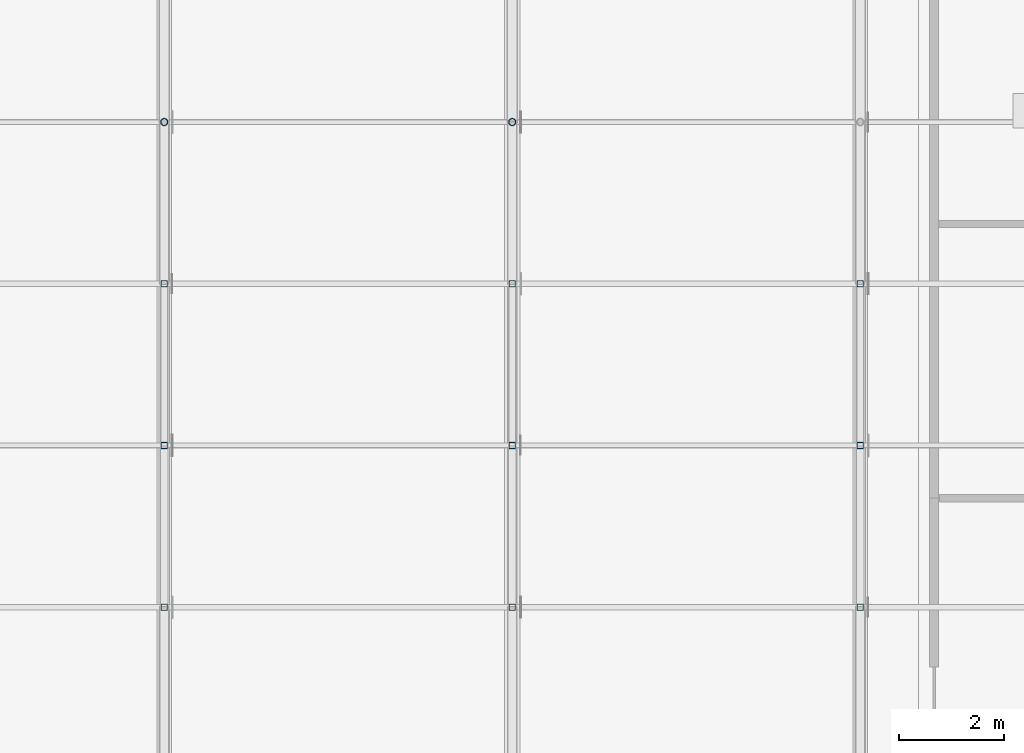
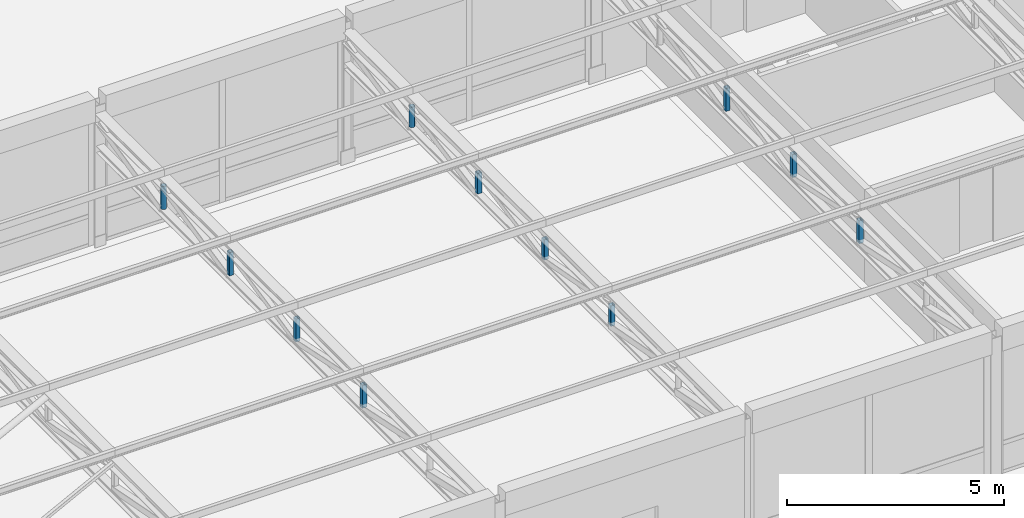
# One storey, part 50 of 92: 11 members.
"""IFC4 building model written with IfcOpenShell, lengths in metres."""

from ifc_helpers import new_model, si_unit, direction, frame, origin, origin_2d, place, context, subcontext, project, spatial, hollow_rectangle, hollow_circle, extrude, material, material_profile, profile_set, type_object, element, save


model = new_model("IFC4")

# Units and contexts
model_context = context("Model", 3, precision=1e-05, world=origin(), true_north=direction((0.0, 1.0)))
body_context = subcontext(model_context, "Body", "Model", "MODEL_VIEW")
ifc_project = project(units=[si_unit("LENGTHUNIT", "METRE"), si_unit("AREAUNIT", "SQUARE_METRE"), si_unit("VOLUMEUNIT", "CUBIC_METRE"), si_unit("PLANEANGLEUNIT", "RADIAN"), si_unit("MASSUNIT", "GRAM", prefix="KILO")], contexts=[model_context])

# Site, building, storey
site_placement = place(None, origin())
site = spatial("IfcSite", under=ifc_project, at=site_placement, CompositionType="ELEMENT")
building_placement = place(site_placement, origin())
building = spatial("IfcBuilding", under=site, at=building_placement, Name="Kernevlak Ridge Housing Community", CompositionType="ELEMENT")
storey_placement = place(building_placement, frame((0.0, 0.0, 4.199951171875)))
storey = spatial("IfcBuildingStorey", under=building, at=storey_placement, Name="L01", CompositionType="ELEMENT", Elevation=4.199951171875)

# Members
ifc_material = material(Name="Steel S355", Category="steel")
ifc_material_profile_1 = material_profile(ifc_material, hollow_rectangle(XDim=0.1201171875, YDim=0.1201171875, WallThickness=0.00634765625, InnerFilletRadius=0.00634765625, OuterFilletRadius=0.009521484375, at=origin_2d()), Name="SHS 120x120x6.3")
ifc_profile_set_1 = profile_set([ifc_material_profile_1], Name="Steel S355")
member_type_1 = type_object("IfcMemberType", Name="BR-05", PredefinedType="BRACE", material=ifc_profile_set_1)
for number, where, z_axis, x_axis, name in (
    (1, (77.39990234375, 55.933349609375, 2.844970703125), (0.0, 0.0, 1.0), (1.0, 0.0, 0.0), "Community Hall roof truss 3 vertical post 2"),
    (2, (77.39990234375, 59.0, 2.844970703125), (0.0, 0.0, 1.0), (1.0, 0.0, 0.0), "Community Hall roof truss 3 vertical post 3"),
    (3, (77.39990234375, 62.066650390625, 2.844970703125), (0.0, 0.0, 1.0), (1.0, 0.0, 0.0), "Community Hall roof truss 3 vertical post 4"),
):
    element("IfcMember", number, at=place(storey_placement, frame(where, z_axis=z_axis, x_axis=x_axis)), inside=storey, type_object=member_type_1, Name=name, PredefinedType="BRACE", context=body_context, shape_type="SweptSolid", body=[
        extrude(hollow_rectangle(XDim=0.1201171875, YDim=0.1201171875, WallThickness=0.00634765625, InnerFilletRadius=0.00634765625, OuterFilletRadius=0.009521484375, at=origin_2d()), origin(), (0.0, 0.0, 1.0), 0.64501953125),
    ])
for number, where, z_axis, x_axis, name in (
    (4, (84.0, 55.933349609375, 2.83544921875), (0.0, 0.0, 1.0), (1.0, 0.0, 0.0), "Community Hall roof truss 4 vertical post 2"),
    (5, (84.0, 59.0, 2.83544921875), (0.0, 0.0, 1.0), (1.0, 0.0, 0.0), "Community Hall roof truss 4 vertical post 3"),
    (6, (84.0, 62.066650390625, 2.83544921875), (0.0, 0.0, 1.0), (1.0, 0.0, 0.0), "Community Hall roof truss 4 vertical post 4"),
):
    element("IfcMember", number, at=place(storey_placement, frame(where, z_axis=z_axis, x_axis=x_axis)), inside=storey, type_object=member_type_1, Name=name, PredefinedType="BRACE", context=body_context, shape_type="SweptSolid", body=[
        extrude(hollow_rectangle(XDim=0.1201171875, YDim=0.1201171875, WallThickness=0.00634765625, InnerFilletRadius=0.00634765625, OuterFilletRadius=0.009521484375, at=origin_2d()), origin(), (0.0, 0.0, 1.0), 0.57470703125),
    ])
for number, where, z_axis, x_axis, name in (
    (7, (90.60009765625, 55.933349609375, 2.844970703125), (0.0, 0.0, 1.0), (1.0, 0.0, 0.0), "Community Hall roof truss 5 vertical post 2"),
    (8, (90.60009765625, 59.0, 2.844970703125), (0.0, 0.0, 1.0), (1.0, 0.0, 0.0), "Community Hall roof truss 5 vertical post 3"),
    (9, (90.60009765625, 62.066650390625, 2.844970703125), (0.0, 0.0, 1.0), (1.0, 0.0, 0.0), "Community Hall roof truss 5 vertical post 4"),
):
    element("IfcMember", number, at=place(storey_placement, frame(where, z_axis=z_axis, x_axis=x_axis)), inside=storey, type_object=member_type_1, Name=name, PredefinedType="BRACE", context=body_context, shape_type="SweptSolid", body=[
        extrude(hollow_rectangle(XDim=0.1201171875, YDim=0.1201171875, WallThickness=0.00634765625, InnerFilletRadius=0.00634765625, OuterFilletRadius=0.009521484375, at=origin_2d()), origin(), (0.0, 0.0, 1.0), 0.64501953125),
    ])
ifc_material_profile_2 = material_profile(ifc_material, hollow_circle(Radius=0.06982421875, WallThickness=0.008056640625, at=origin_2d()), Name="CHS 139.7x8")
ifc_profile_set_2 = profile_set([ifc_material_profile_2], Name="Steel S355")
member_type_2 = type_object("IfcMemberType", Name="BR-09", PredefinedType="BRACE", material=ifc_profile_set_2)
member_1_placement = place(storey_placement, frame((77.39990234375, 65.13330078125, 2.844970703125), z_axis=(0.0, 0.0, 1.0), x_axis=(1.0, 0.0, 0.0)))
element("IfcMember", 10, at=member_1_placement, inside=storey, type_object=member_type_2, Name="Community Hall roof truss 3 vertical post 5", PredefinedType="BRACE", context=body_context, shape_type="SweptSolid", body=[
    extrude(hollow_circle(Radius=0.06982421875, WallThickness=0.008056640625, at=origin_2d()), origin(), (0.0, 0.0, 1.0), 0.64501953125),
])
member_2_placement = place(storey_placement, frame((84.0, 65.13330078125, 2.83544921875), z_axis=(0.0, 0.0, 1.0), x_axis=(1.0, 0.0, 0.0)))
element("IfcMember", 11, at=member_2_placement, inside=storey, type_object=member_type_2, Name="Community Hall roof truss 4 vertical post 5", PredefinedType="BRACE", context=body_context, shape_type="SweptSolid", body=[
    extrude(hollow_circle(Radius=0.06982421875, WallThickness=0.008056640625, at=origin_2d()), origin(), (0.0, 0.0, 1.0), 0.57470703125),
])

save(model, "model.ifc")
